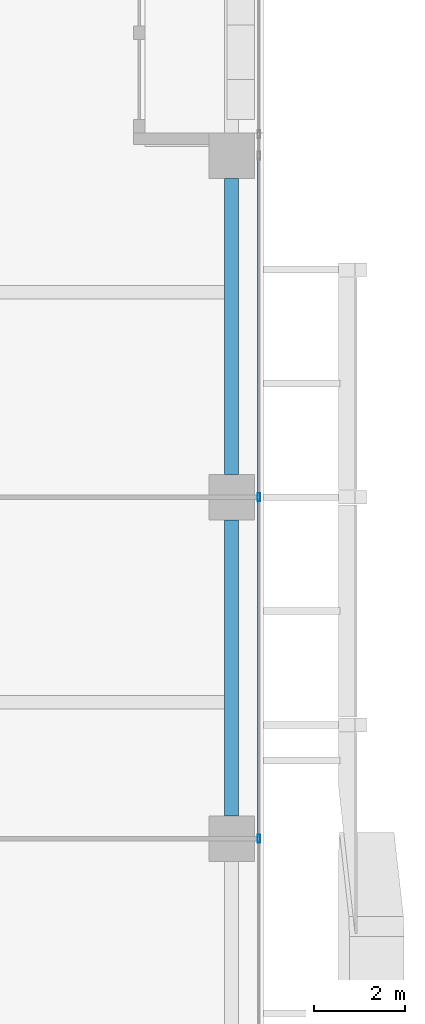
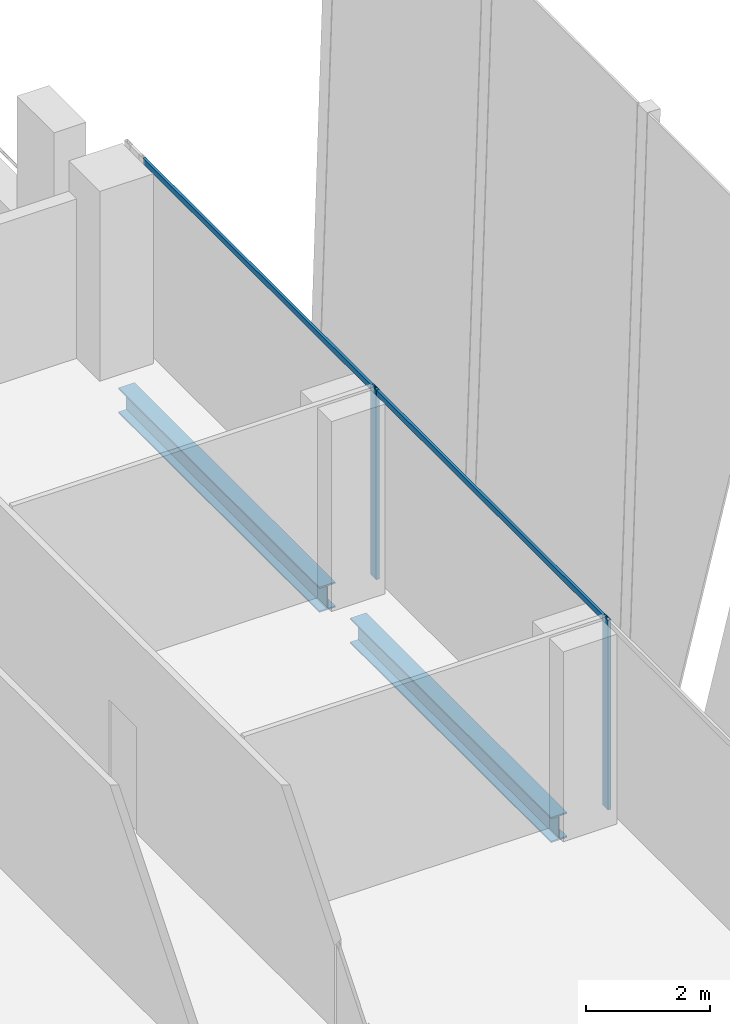
# One storey, part 13 of 35: 4 members, 2 beams, 1 element without a shape of its own.
"""IFC4 building model written with IfcOpenShell, lengths in metres."""

from ifc_helpers import new_model, si_unit, direction, frame, origin, origin_2d, place, context, subcontext, project, spatial, hollow_rectangle, i_section, extrude, source, transform, mapped, material, material_profile, profile_set, type_object, element, aggregate, save


model = new_model("IFC4")

# Units and contexts
model_context = context("Model", 3, precision=1e-05, world=origin(), true_north=direction((0.0, 1.0)))
body_context = subcontext(model_context, "Body", "Model", "MODEL_VIEW")
ifc_project = project(units=[si_unit("LENGTHUNIT", "METRE"), si_unit("AREAUNIT", "SQUARE_METRE"), si_unit("VOLUMEUNIT", "CUBIC_METRE"), si_unit("PLANEANGLEUNIT", "RADIAN"), si_unit("MASSUNIT", "GRAM", prefix="KILO")], contexts=[model_context])

# Site, building, storey
site_placement = place(None, origin())
site = spatial("IfcSite", under=ifc_project, at=site_placement, CompositionType="ELEMENT")
building_placement = place(site_placement, origin())
building = spatial("IfcBuilding", under=site, at=building_placement, Name="Khomas Fold Tower", CompositionType="ELEMENT")
storey_placement = place(building_placement, frame((0.0, 0.0, 188.699951171875)))
storey = spatial("IfcBuildingStorey", under=building, at=storey_placement, Name="L41", CompositionType="ELEMENT", Elevation=188.699951171875)

# Beams
ifc_material_1 = material(Name="Steel S355", Category="steel")
ifc_material_profile_1 = material_profile(ifc_material_1, i_section(OverallWidth=0.300048828125, OverallDepth=0.5, WebThickness=0.014404296875, FlangeThickness=0.028076171875, at=origin_2d()), Name="HE 500 B")
ifc_profile_set_1 = profile_set([ifc_material_profile_1], Name="Steel S355")
beam_type = type_object("IfcBeamType", Name="HE 500 B spandrel SB3", PredefinedType="SPANDREL", material=ifc_profile_set_1)
shared_shape_1 = source(origin(), body_context, "Body", "SweptSolid", [
    extrude(i_section(OverallWidth=0.300048828125, OverallDepth=0.5, WebThickness=0.014404296875, FlangeThickness=0.028076171875, at=origin_2d()), origin(), (0.0, 0.0, 1.0), 6.5),
])
for number, where, z_axis, x_axis, name in (
    (1, (50.300048828125, 20.0, -0.5), (0.0, 1.0, 0.0), (-1.0, 0.0, 0.0), "SB3"),
    (2, (50.300048828125, 27.5, -0.5), (0.0, 1.0, 0.0), (-1.0, 0.0, 0.0), "SB3"),
):
    element("IfcBeam", number, at=place(storey_placement, frame(where, z_axis=z_axis, x_axis=x_axis)), inside=storey, type_object=beam_type, Name=name, PredefinedType="SPANDREL", context=body_context, shape_type="MappedRepresentation", body=[
        mapped(shared_shape_1, transform((0.0, 0.0, 0.0))),
    ])

# Curtain wall, members
ifc_material_2 = material(Name="Aluminium framed double glazing", Category="aluminium")
curtain_wall_type = type_object("IfcCurtainWallType", Name="SK-Unitised clear-glass wall, office floors CW2", PredefinedType="NOTDEFINED", material=ifc_material_2)
curtain_wall_placement = place(storey_placement, origin())
curtain_wall = element("IfcCurtainWall", 3, at=curtain_wall_placement, inside=storey, type_object=curtain_wall_type, Name="CW2 run L41 03-0", PredefinedType="NOTDEFINED")
ifc_material_3 = material(Name="Aluminium", Category="aluminium")
ifc_material_profile_2 = material_profile(ifc_material_3, hollow_rectangle(XDim=0.06005859375, YDim=0.179931640625, WallThickness=0.00390625, at=origin_2d()), Name="SK-Unitised clear-glass wall, office floors mullion CW2-M")
ifc_profile_set_2 = profile_set([ifc_material_profile_2], Name="Aluminium")
member_type_1 = type_object("IfcMemberType", Name="SK-Unitised clear-glass wall, office floors mullion CW2-M", PredefinedType="MULLION", material=ifc_profile_set_2)
shared_shape_2 = source(origin(), body_context, "Body", "SweptSolid", [
    extrude(hollow_rectangle(XDim=0.06005859375, YDim=0.179931640625, WallThickness=0.00390625, at=origin_2d()), origin(), (0.0, 0.0, 1.0), 3.75),
])
member_1_placement = place(storey_placement, frame((50.89990234375, 19.5, 0.0), z_axis=(0.0, 0.0, 1.0), x_axis=(-1.0, 0.0, 0.0)))
member_1 = element("IfcMember", 4, at=member_1_placement, type_object=member_type_1, Name="CW2 mullion 4", PredefinedType="MULLION", context=body_context, shape_type="MappedRepresentation", body=[
    mapped(shared_shape_2, transform((0.0, 0.0, 0.0))),
])
member_2_placement = place(storey_placement, frame((50.89990234375, 27.0, 0.0), z_axis=(0.0, 0.0, 1.0), x_axis=(-1.0, 0.0, 0.0)))
member_2 = element("IfcMember", 5, at=member_2_placement, type_object=member_type_1, Name="CW2 mullion 5", PredefinedType="MULLION", context=body_context, shape_type="MappedRepresentation", body=[
    mapped(shared_shape_2, transform((0.0, 0.0, 0.0))),
])
ifc_material_4 = material(Name="Aluminium", Category="aluminium")
ifc_material_profile_3 = material_profile(ifc_material_4, hollow_rectangle(XDim=0.050048828125, YDim=0.110107421875, WallThickness=0.00390625, at=origin_2d()), Name="SK-Unitised clear-glass wall, office floors transom CW2-T")
ifc_profile_set_3 = profile_set([ifc_material_profile_3], Name="Aluminium")
member_type_2 = type_object("IfcMemberType", Name="SK-Unitised clear-glass wall, office floors transom CW2-T", PredefinedType="USERDEFINED", material=ifc_profile_set_3)
shared_shape_3 = source(origin(), body_context, "Body", "SweptSolid", [
    extrude(hollow_rectangle(XDim=0.050048828125, YDim=0.110107421875, WallThickness=0.00390625, at=origin_2d()), origin(), (0.0, 0.0, 1.0), 7.43994140625),
])
member_3_placement = place(storey_placement, frame((50.89990234375, 19.530029296875, 3.695068359375), z_axis=(0.0, 1.0, 0.0), x_axis=(-1.0, 0.0, 0.0)))
member_3 = element("IfcMember", 6, at=member_3_placement, type_object=member_type_2, Name="CW2 transom 4", ObjectType="TRANSOM", PredefinedType="USERDEFINED", context=body_context, shape_type="MappedRepresentation", body=[
    mapped(shared_shape_3, transform((0.0, 0.0, 0.0))),
])
member_4_placement = place(storey_placement, frame((50.89990234375, 27.030029296875, 3.695068359375), z_axis=(0.0, 1.0, 0.0), x_axis=(-1.0, 0.0, 0.0)))
member_4 = element("IfcMember", 7, at=member_4_placement, type_object=member_type_2, Name="CW2 transom 5", ObjectType="TRANSOM", PredefinedType="USERDEFINED", context=body_context, shape_type="MappedRepresentation", body=[
    mapped(shared_shape_3, transform((0.0, 0.0, 0.0))),
])
aggregate(curtain_wall, [member_1, member_2, member_3, member_4])

save(model, "model.ifc")
